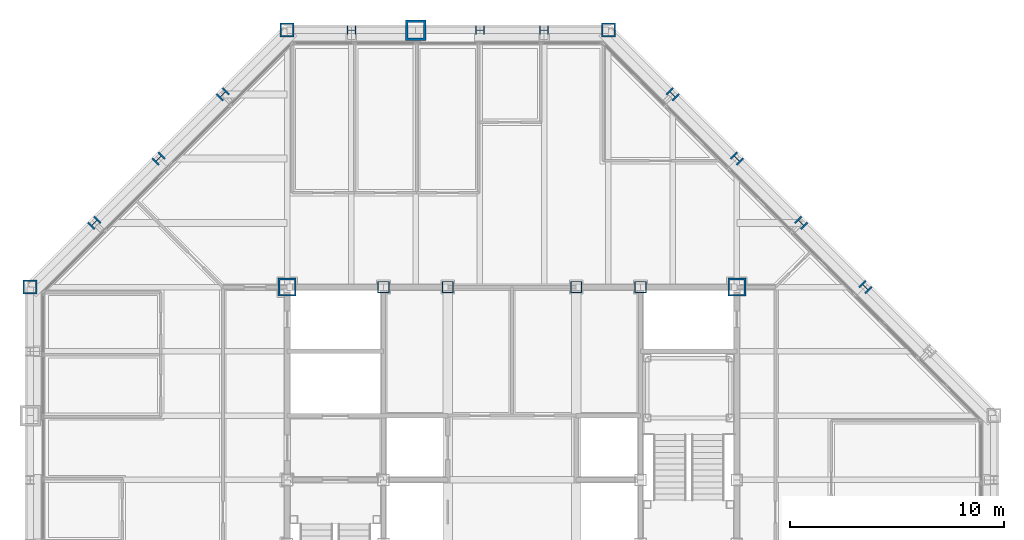
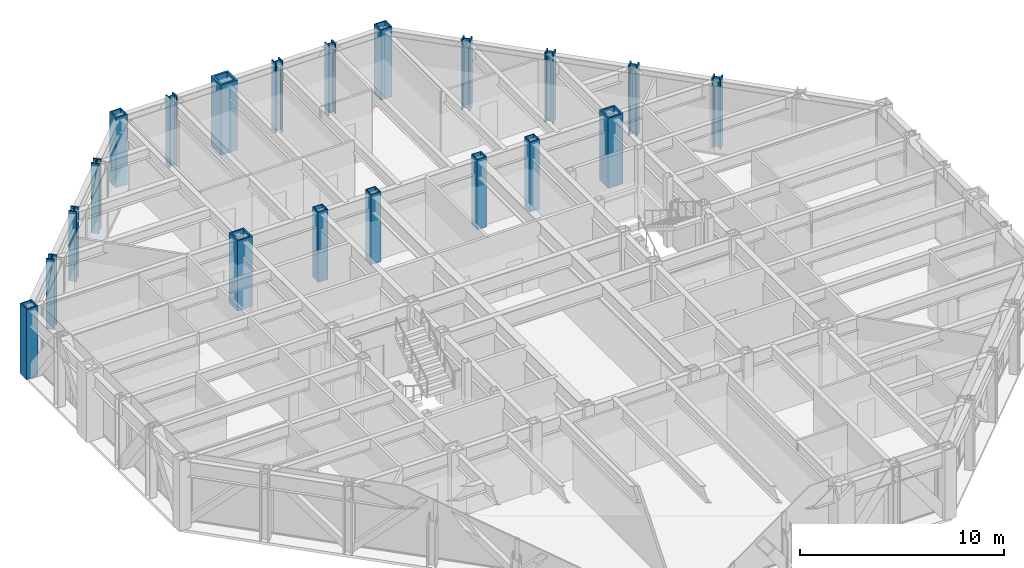
# One storey, part 4 of 16: 20 columns.
"""IFC4 building model written with IfcOpenShell, lengths in metres."""

from ifc_helpers import new_model, si_unit, direction, frame, origin, origin_2d, place, context, subcontext, project, spatial, hollow_rectangle, i_section, extrude, material, material_profile, profile_set, type_object, element, save


model = new_model("IFC4")

# Units and contexts
model_context = context("Model", 3, precision=1e-05, world=origin(), true_north=direction((0.0, 1.0)))
body_context = subcontext(model_context, "Body", "Model", "MODEL_VIEW")
ifc_project = project(units=[si_unit("LENGTHUNIT", "METRE"), si_unit("AREAUNIT", "SQUARE_METRE"), si_unit("VOLUMEUNIT", "CUBIC_METRE"), si_unit("PLANEANGLEUNIT", "RADIAN"), si_unit("MASSUNIT", "GRAM", prefix="KILO")], contexts=[model_context])

# Site, building, storey
site_placement = place(None, origin())
site = spatial("IfcSite", under=ifc_project, at=site_placement, CompositionType="ELEMENT")
building_placement = place(site_placement, origin())
building = spatial("IfcBuilding", under=site, at=building_placement, Name="Chuquiago Exchange Tower", CompositionType="ELEMENT")
storey_placement = place(building_placement, frame((0.0, 0.0, 230.699951171875)))
storey = spatial("IfcBuildingStorey", under=building, at=storey_placement, Name="L51", CompositionType="ELEMENT", Elevation=230.699951171875)

# Columns
ifc_material_1 = material(Name="Steel ASTM A992", Category="steel")
ifc_material_profile_1 = material_profile(ifc_material_1, i_section(OverallWidth=0.408935546875, OverallDepth=0.424072265625, WebThickness=0.03271484375, FlangeThickness=0.052490234375, at=origin_2d()), Name="W14X283")
ifc_profile_set_1 = profile_set([ifc_material_profile_1], Name="Steel ASTM A992")
column_type_1 = type_object("IfcColumnType", Name="C8 W14X283", PredefinedType="COLUMN", material=ifc_profile_set_1)
for number, where, z_axis, x_axis, name in (
    (1, (24.0, 45.0, 0.0), (0.0, 0.0, 1.0), (0.0, 1.0, 0.0), "COL-L51-24_45"),
    (2, (21.0, 45.0, 0.0), (0.0, 0.0, 1.0), (0.0, 1.0, 0.0), "COL-L51-21_45"),
    (3, (15.0, 45.0, 0.0), (0.0, 0.0, 1.0), (0.0, 1.0, 0.0), "COL-L51-15_45"),
):
    element("IfcColumn", number, at=place(storey_placement, frame(where, z_axis=z_axis, x_axis=x_axis)), inside=storey, type_object=column_type_1, Name=name, PredefinedType="COLUMN", context=body_context, shape_type="SweptSolid", body=[
        extrude(i_section(OverallWidth=0.408935546875, OverallDepth=0.424072265625, WebThickness=0.03271484375, FlangeThickness=0.052490234375, at=origin_2d()), origin(), (0.0, 0.0, 1.0), 4.199951171875),
    ])
ifc_material_2 = material(Name="Steel ASTM A572 Grade 50", Category="steel")
ifc_material_profile_2 = material_profile(ifc_material_2, hollow_rectangle(XDim=0.85009765625, YDim=0.85009765625, WallThickness=0.0849609375, at=origin_2d()), Name="BOX850X850X85")
ifc_profile_set_2 = profile_set([ifc_material_profile_2], Name="Steel ASTM A572 Grade 50")
column_type_2 = type_object("IfcColumnType", Name="CC6 BOX850X850X85", PredefinedType="COLUMN", material=ifc_profile_set_2)
for number, where, z_axis, x_axis, name in (
    (4, (12.0, 33.0, 0.0), (0.0, 0.0, 1.0), (1.0, 0.0, 0.0), "CCOL-L51-12_33"),
    (5, (33.0, 33.0, 0.0), (0.0, 0.0, 1.0), (1.0, 0.0, 0.0), "CCOL-L51-33_33"),
):
    element("IfcColumn", number, at=place(storey_placement, frame(where, z_axis=z_axis, x_axis=x_axis)), inside=storey, type_object=column_type_2, Name=name, PredefinedType="COLUMN", context=body_context, shape_type="SweptSolid", body=[
        extrude(hollow_rectangle(XDim=0.85009765625, YDim=0.85009765625, WallThickness=0.0849609375, at=origin_2d()), origin(), (0.0, 0.0, 1.0), 4.199951171875),
    ])
ifc_material_3 = material(Name="Steel ASTM A572 Grade 50", Category="steel")
ifc_material_profile_3 = material_profile(ifc_material_3, hollow_rectangle(XDim=0.550048828125, YDim=0.550048828125, WallThickness=0.044921875, at=origin_2d()), Name="BOX550X550X45")
ifc_profile_set_3 = profile_set([ifc_material_profile_3], Name="Steel ASTM A572 Grade 50")
column_type_3 = type_object("IfcColumnType", Name="CC8 BOX550X550X45", PredefinedType="COLUMN", material=ifc_profile_set_3)
for number, where, z_axis, x_axis, name in (
    (6, (16.5, 33.0, 0.0), (0.0, 0.0, 1.0), (1.0, 0.0, 0.0), "CCOL-L51-16.5_33"),
    (7, (19.5, 33.0, 0.0), (0.0, 0.0, 1.0), (1.0, 0.0, 0.0), "CCOL-L51-19.5_33"),
    (8, (25.5, 33.0, 0.0), (0.0, 0.0, 1.0), (1.0, 0.0, 0.0), "CCOL-L51-25.5_33"),
    (9, (28.5, 33.0, 0.0), (0.0, 0.0, 1.0), (1.0, 0.0, 0.0), "CCOL-L51-28.5_33"),
):
    element("IfcColumn", number, at=place(storey_placement, frame(where, z_axis=z_axis, x_axis=x_axis)), inside=storey, type_object=column_type_3, Name=name, PredefinedType="COLUMN", context=body_context, shape_type="SweptSolid", body=[
        extrude(hollow_rectangle(XDim=0.550048828125, YDim=0.550048828125, WallThickness=0.044921875, at=origin_2d()), origin(), (0.0, 0.0, 1.0), 4.199951171875),
    ])
ifc_material_4 = material(Name="Steel ASTM A992", Category="steel")
ifc_material_profile_4 = material_profile(ifc_material_4, i_section(OverallWidth=0.421630859375, OverallDepth=0.46484375, WebThickness=0.044921875, FlangeThickness=0.072509765625, at=origin_2d()), Name="W14X398")
ifc_profile_set_4 = profile_set([ifc_material_profile_4], Name="Steel ASTM A992")
column_type_4 = type_object("IfcColumnType", Name="CK7 W14X398", PredefinedType="COLUMN", material=ifc_profile_set_4)
for number, where, z_axis, x_axis, name in (
    (10, (39.0, 33.0, 0.0), (0.0, 0.0, 1.0), (0.707106781187, 0.707106781187, 0.0), "COL-L51-39_33"),
    (11, (36.0, 36.0, 0.0), (0.0, 0.0, 1.0), (0.707106781187, 0.707106781187, 0.0), "COL-L51-36_36"),
    (12, (33.0, 39.0, 0.0), (0.0, 0.0, 1.0), (0.707106781187, 0.707106781187, 0.0), "COL-L51-33_39"),
    (13, (30.0, 42.0, 0.0), (0.0, 0.0, 1.0), (0.707106781187, 0.707106781187, 0.0), "COL-L51-30_42"),
    (14, (9.0, 42.0, 0.0), (0.0, 0.0, 1.0), (-0.707106781187, 0.707106781187, 0.0), "COL-L51-9_42"),
    (15, (6.0, 39.0, 0.0), (0.0, 0.0, 1.0), (-0.707106781187, 0.707106781187, 0.0), "COL-L51-6_39"),
    (16, (3.0, 36.0, 0.0), (0.0, 0.0, 1.0), (-0.707106781187, 0.707106781187, 0.0), "COL-L51-3_36"),
):
    element("IfcColumn", number, at=place(storey_placement, frame(where, z_axis=z_axis, x_axis=x_axis)), inside=storey, type_object=column_type_4, Name=name, PredefinedType="COLUMN", context=body_context, shape_type="SweptSolid", body=[
        extrude(i_section(OverallWidth=0.421630859375, OverallDepth=0.46484375, WebThickness=0.044921875, FlangeThickness=0.072509765625, at=origin_2d()), origin(), (0.0, 0.0, 1.0), 4.199951171875),
    ])
ifc_material_5 = material(Name="Steel ASTM A572 Grade 50", Category="steel")
ifc_material_profile_5 = material_profile(ifc_material_5, hollow_rectangle(XDim=0.64990234375, YDim=0.64990234375, WallThickness=0.06494140625, at=origin_2d()), Name="BOX650X650X65")
ifc_profile_set_5 = profile_set([ifc_material_profile_5], Name="Steel ASTM A572 Grade 50")
column_type_5 = type_object("IfcColumnType", Name="CN2 BOX650X650X65", PredefinedType="COLUMN", material=ifc_profile_set_5)
for number, where, z_axis, x_axis, name in (
    (17, (27.0, 45.0, 0.0), (0.0, 0.0, 1.0), (0.0, 1.0, 0.0), "COL-L51-27_45"),
    (18, (12.0, 45.0, 0.0), (0.0, 0.0, 1.0), (0.0, 1.0, 0.0), "COL-L51-12_45"),
    (19, (0.0, 33.0, 0.0), (0.0, 0.0, 1.0), (-1.0, 0.0, 0.0), "COL-L51-0_33"),
):
    element("IfcColumn", number, at=place(storey_placement, frame(where, z_axis=z_axis, x_axis=x_axis)), inside=storey, type_object=column_type_5, Name=name, PredefinedType="COLUMN", context=body_context, shape_type="SweptSolid", body=[
        extrude(hollow_rectangle(XDim=0.64990234375, YDim=0.64990234375, WallThickness=0.06494140625, at=origin_2d()), origin(), (0.0, 0.0, 1.0), 4.199951171875),
    ])
ifc_material_6 = material(Name="Steel ASTM A572 Grade 42", Category="steel")
ifc_material_profile_6 = material_profile(ifc_material_6, hollow_rectangle(XDim=0.949951171875, YDim=0.949951171875, WallThickness=0.110107421875, at=origin_2d()), Name="BOX950X950X110")
ifc_profile_set_6 = profile_set([ifc_material_profile_6], Name="Steel ASTM A572 Grade 42")
column_type_6 = type_object("IfcColumnType", Name="CT1 BOX950X950X110", PredefinedType="COLUMN", material=ifc_profile_set_6)
column_placement = place(storey_placement, frame((18.0, 45.0, 0.0), z_axis=(0.0, 0.0, 1.0), x_axis=(0.0, 1.0, 0.0)))
element("IfcColumn", 20, at=column_placement, inside=storey, type_object=column_type_6, Name="COL-L51-18_45", PredefinedType="COLUMN", context=body_context, shape_type="SweptSolid", body=[
    extrude(hollow_rectangle(XDim=0.949951171875, YDim=0.949951171875, WallThickness=0.110107421875, at=origin_2d()), origin(), (0.0, 0.0, 1.0), 4.199951171875),
])

save(model, "model.ifc")
